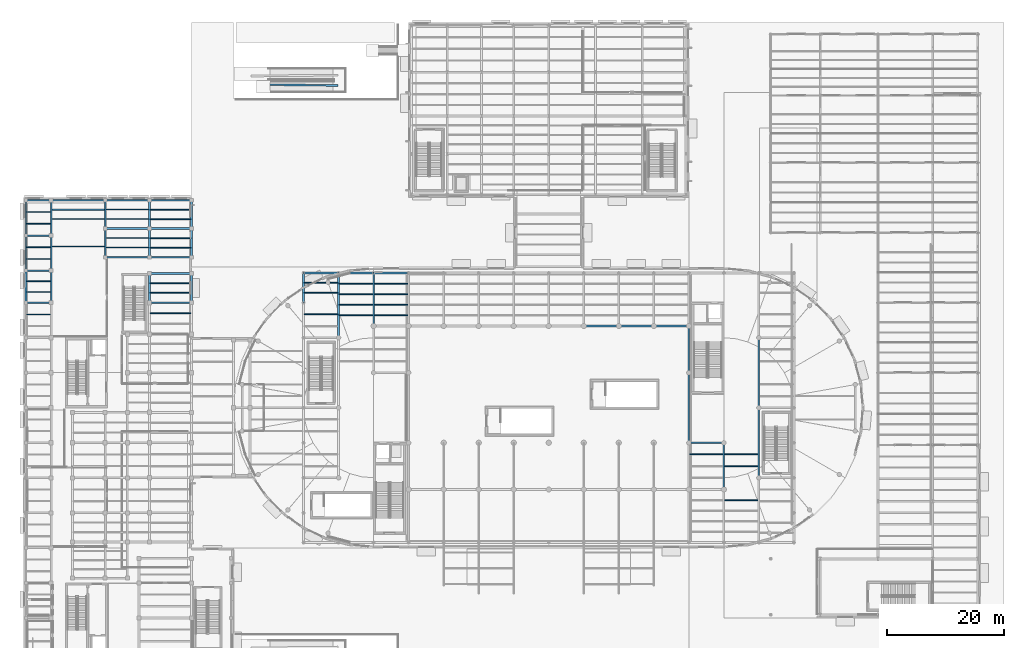
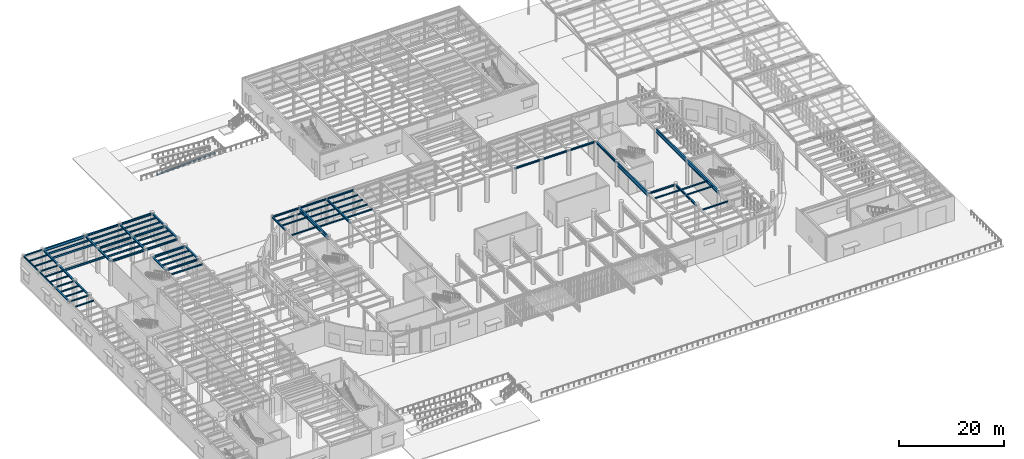
# One storey, part 30 of 118: 79 beams.
"""IFC4 building model written with IfcOpenShell, lengths in metres."""

from ifc_helpers import new_model, si_unit, direction, frame, origin, origin_2d, place, context, subcontext, project, spatial, hollow_rectangle, i_section, extrude, material, material_profile, profile_set, type_object, element, save


model = new_model("IFC4")

# Units and contexts
model_context = context("Model", 3, precision=1e-05, world=origin(), true_north=direction((0.0, 1.0)))
body_context = subcontext(model_context, "Body", "Model", "MODEL_VIEW")
ifc_project = project(units=[si_unit("LENGTHUNIT", "METRE"), si_unit("AREAUNIT", "SQUARE_METRE"), si_unit("VOLUMEUNIT", "CUBIC_METRE"), si_unit("PLANEANGLEUNIT", "RADIAN"), si_unit("MASSUNIT", "GRAM", prefix="KILO")], contexts=[model_context])

# Site, building, storey
site_placement = place(None, origin())
site = spatial("IfcSite", under=ifc_project, at=site_placement, CompositionType="ELEMENT")
building_placement = place(site_placement, origin())
building = spatial("IfcBuilding", under=site, at=building_placement, Name="Kolvaren Corner Interchange", CompositionType="ELEMENT")
storey_placement = place(building_placement, origin())
storey = spatial("IfcBuildingStorey", under=building, at=storey_placement, Name="L01", CompositionType="ELEMENT", Elevation=0.0)

# Beams
ifc_material_1 = material(Name="Steel S355", Category="steel")
ifc_material_profile_1 = material_profile(ifc_material_1, i_section(OverallWidth=0.260009765625, OverallDepth=0.25, WebThickness=0.007568359375, FlangeThickness=0.012451171875, FilletRadius=0.02392578125, at=origin_2d()), Name="HEA 260")
ifc_profile_set_1 = profile_set([ifc_material_profile_1], Name="Steel S355")
beam_type_1 = type_object("IfcBeamType", Name="BM-HEA260", PredefinedType="BEAM", material=ifc_profile_set_1)
for number, where, z_axis, x_axis, name in (
    (1, (0.449951171875, 66.0, 5.625), (1.0, 0.0, 0.0), (0.0, 1.0, 0.0), "Storey L01 Grid X Primary Girder 0402"),
    (2, (0.449951171875, 71.5, 5.625), (1.0, 0.0, 0.0), (0.0, 1.0, 0.0), "Storey L01 Grid X Primary Girder 0403"),
    (3, (0.449951171875, 77.5, 5.625), (1.0, 0.0, 0.0), (0.0, 1.0, 0.0), "Storey L01 Grid X Primary Girder 0407"),
    (4, (0.449951171875, 83.550048828125, 5.625), (1.0, 0.0, 0.0), (0.0, 1.0, 0.0), "Storey L01 Grid X Primary Girder 0411"),
):
    element("IfcBeam", number, at=place(storey_placement, frame(where, z_axis=z_axis, x_axis=x_axis)), inside=storey, type_object=beam_type_1, Name=name, PredefinedType="BEAM", context=body_context, shape_type="SweptSolid", body=[
        extrude(i_section(OverallWidth=0.260009765625, OverallDepth=0.25, WebThickness=0.007568359375, FlangeThickness=0.012451171875, FilletRadius=0.02392578125, at=origin_2d()), origin(), (0.0, 0.0, 1.0), 4.300048828125),
    ])
ifc_material_2 = material(Name="Steel S355", Category="steel")
ifc_material_profile_2 = material_profile(ifc_material_2, i_section(OverallWidth=0.300048828125, OverallDepth=0.2900390625, WebThickness=0.008544921875, FlangeThickness=0.013916015625, FilletRadius=0.027099609375, at=origin_2d()), Name="HEA 300")
ifc_profile_set_2 = profile_set([ifc_material_profile_2], Name="Steel S355")
beam_type_2 = type_object("IfcBeamType", Name="BM-HEA300", PredefinedType="BEAM", material=ifc_profile_set_2)
beam_1_placement = place(storey_placement, frame((41.31005859375, 103.360107421875, -1.820068359375), z_axis=(0.998156655255, -0.011913488908, 0.059509329962), x_axis=(0.011934640082, 0.999928779647, 0.0)))
element("IfcBeam", 5, at=beam_1_placement, inside=storey, type_object=beam_type_2, Name="West Cycle Hub Accessible Plinth Ramp Lower Sloped Spine Beam", PredefinedType="BEAM", context=body_context, shape_type="SweptSolid", body=[
    extrude(i_section(OverallWidth=0.300048828125, OverallDepth=0.2900390625, WebThickness=0.008544921875, FlangeThickness=0.013916015625, FilletRadius=0.027099609375, at=origin_2d()), origin(), (0.0, 0.0, 1.0), 12.60302734375),
])
ifc_material_3 = material(Name="Steel S355", Category="steel")
ifc_material_profile_3 = material_profile(ifc_material_3, i_section(OverallWidth=0.300048828125, OverallDepth=0.31005859375, WebThickness=0.009033203125, FlangeThickness=0.015380859375, FilletRadius=0.027099609375, at=origin_2d()), Name="HEA 320")
ifc_profile_set_3 = profile_set([ifc_material_profile_3], Name="Steel S355")
beam_type_3 = type_object("IfcBeamType", Name="BM-HEA320", PredefinedType="BEAM", material=ifc_profile_set_3)
for number, where, z_axis, x_axis, name in (
    (6, (21.60009765625, 66.0, 5.594970703125), (0.0, 1.0, 0.0), (-1.0, 0.0, 0.0), "Storey L01 Grid Y Primary Girder 0319"),
    (7, (28.800048828125, 66.0, 5.594970703125), (0.0, 1.0, 0.0), (-1.0, 0.0, 0.0), "Storey L01 Grid Y Primary Girder 0327"),
):
    element("IfcBeam", number, at=place(storey_placement, frame(where, z_axis=z_axis, x_axis=x_axis)), inside=storey, type_object=beam_type_3, Name=name, PredefinedType="BEAM", context=body_context, shape_type="SweptSolid", body=[
        extrude(i_section(OverallWidth=0.300048828125, OverallDepth=0.31005859375, WebThickness=0.009033203125, FlangeThickness=0.015380859375, FilletRadius=0.027099609375, at=origin_2d()), origin(), (0.0, 0.0, 1.0), 5.0),
    ])
beam_2_placement = place(storey_placement, frame((48.0, 66.0, 5.594970703125), z_axis=(0.0, 1.0, 0.0), x_axis=(-1.0, 0.0, 0.0)))
element("IfcBeam", 8, at=beam_2_placement, inside=storey, type_object=beam_type_3, Name="Storey L01 Grid Y Primary Girder 0340", PredefinedType="BEAM", context=body_context, shape_type="SweptSolid", body=[
    extrude(i_section(OverallWidth=0.300048828125, OverallDepth=0.31005859375, WebThickness=0.009033203125, FlangeThickness=0.015380859375, FilletRadius=0.027099609375, at=origin_2d()), origin(), (0.0, 0.0, 1.0), 5.10009765625),
])
for number, where, z_axis, x_axis, name in (
    (9, (0.449951171875, 66.0, 5.594970703125), (0.0, 1.0, 0.0), (-1.0, 0.0, 0.0), "Storey L01 Grid Y Primary Girder 0459"),
    (10, (4.75, 66.0, 5.594970703125), (0.0, 1.0, 0.0), (-1.0, 0.0, 0.0), "Storey L01 Grid Y Primary Girder 0473"),
):
    element("IfcBeam", number, at=place(storey_placement, frame(where, z_axis=z_axis, x_axis=x_axis)), inside=storey, type_object=beam_type_3, Name=name, PredefinedType="BEAM", context=body_context, shape_type="SweptSolid", body=[
        extrude(i_section(OverallWidth=0.300048828125, OverallDepth=0.31005859375, WebThickness=0.009033203125, FlangeThickness=0.015380859375, FilletRadius=0.027099609375, at=origin_2d()), origin(), (0.0, 0.0, 1.0), 5.5),
    ])
beam_3_placement = place(storey_placement, frame((14.0, 73.800048828125, 5.594970703125), z_axis=(0.0, 1.0, 0.0), x_axis=(-1.0, 0.0, 0.0)))
element("IfcBeam", 11, at=beam_3_placement, inside=storey, type_object=beam_type_3, Name="Storey L01 Grid Y Primary Girder 0476", PredefinedType="BEAM", context=body_context, shape_type="SweptSolid", body=[
    extrude(i_section(OverallWidth=0.300048828125, OverallDepth=0.31005859375, WebThickness=0.009033203125, FlangeThickness=0.015380859375, FilletRadius=0.027099609375, at=origin_2d()), origin(), (0.0, 0.0, 1.0), 4.89990234375),
])
beam_4_placement = place(storey_placement, frame((14.0, 78.699951171875, 5.594970703125), z_axis=(0.0, 1.0, 0.0), x_axis=(-1.0, 0.0, 0.0)))
element("IfcBeam", 12, at=beam_4_placement, inside=storey, type_object=beam_type_3, Name="Storey L01 Grid Y Primary Girder 0477", PredefinedType="BEAM", context=body_context, shape_type="SweptSolid", body=[
    extrude(i_section(OverallWidth=0.300048828125, OverallDepth=0.31005859375, WebThickness=0.009033203125, FlangeThickness=0.015380859375, FilletRadius=0.027099609375, at=origin_2d()), origin(), (0.0, 0.0, 1.0), 4.85009765625),
])
beam_5_placement = place(storey_placement, frame((21.60009765625, 73.800048828125, 5.594970703125), z_axis=(0.0, 1.0, 0.0), x_axis=(-1.0, 0.0, 0.0)))
element("IfcBeam", 13, at=beam_5_placement, inside=storey, type_object=beam_type_3, Name="Storey L01 Grid Y Primary Girder 0482", PredefinedType="BEAM", context=body_context, shape_type="SweptSolid", body=[
    extrude(i_section(OverallWidth=0.300048828125, OverallDepth=0.31005859375, WebThickness=0.009033203125, FlangeThickness=0.015380859375, FilletRadius=0.027099609375, at=origin_2d()), origin(), (0.0, 0.0, 1.0), 4.89990234375),
])
beam_6_placement = place(storey_placement, frame((21.60009765625, 78.699951171875, 5.594970703125), z_axis=(0.0, 1.0, 0.0), x_axis=(-1.0, 0.0, 0.0)))
element("IfcBeam", 14, at=beam_6_placement, inside=storey, type_object=beam_type_3, Name="Storey L01 Grid Y Primary Girder 0483", PredefinedType="BEAM", context=body_context, shape_type="SweptSolid", body=[
    extrude(i_section(OverallWidth=0.300048828125, OverallDepth=0.31005859375, WebThickness=0.009033203125, FlangeThickness=0.015380859375, FilletRadius=0.027099609375, at=origin_2d()), origin(), (0.0, 0.0, 1.0), 4.85009765625),
])
beam_7_placement = place(storey_placement, frame((28.800048828125, 73.800048828125, 5.594970703125), z_axis=(0.0, 1.0, 0.0), x_axis=(-1.0, 0.0, 0.0)))
element("IfcBeam", 15, at=beam_7_placement, inside=storey, type_object=beam_type_3, Name="Storey L01 Grid Y Primary Girder 0488", PredefinedType="BEAM", context=body_context, shape_type="SweptSolid", body=[
    extrude(i_section(OverallWidth=0.300048828125, OverallDepth=0.31005859375, WebThickness=0.009033203125, FlangeThickness=0.015380859375, FilletRadius=0.027099609375, at=origin_2d()), origin(), (0.0, 0.0, 1.0), 4.89990234375),
])
beam_8_placement = place(storey_placement, frame((28.800048828125, 78.699951171875, 5.594970703125), z_axis=(0.0, 1.0, 0.0), x_axis=(-1.0, 0.0, 0.0)))
element("IfcBeam", 16, at=beam_8_placement, inside=storey, type_object=beam_type_3, Name="Storey L01 Grid Y Primary Girder 0489", PredefinedType="BEAM", context=body_context, shape_type="SweptSolid", body=[
    extrude(i_section(OverallWidth=0.300048828125, OverallDepth=0.31005859375, WebThickness=0.009033203125, FlangeThickness=0.015380859375, FilletRadius=0.027099609375, at=origin_2d()), origin(), (0.0, 0.0, 1.0), 4.85009765625),
])
ifc_material_4 = material(Name="Steel S355", Category="steel")
ifc_material_profile_4 = material_profile(ifc_material_4, i_section(OverallWidth=0.300048828125, OverallDepth=0.35009765625, WebThickness=0.010009765625, FlangeThickness=0.017578125, FilletRadius=0.027099609375, at=origin_2d()), Name="HEA 360")
ifc_profile_set_4 = profile_set([ifc_material_profile_4], Name="Steel S355")
beam_type_4 = type_object("IfcBeamType", Name="BM-HEA360", PredefinedType="BEAM", material=ifc_profile_set_4)
for number, where, z_axis, x_axis, name in (
    (17, (114.0, 42.0, 5.574951171875), (1.0, 0.0, 0.0), (0.0, 1.0, 0.0), "Storey L01 Grid X Primary Girder 0253"),
    (18, (96.0, 62.0, 5.574951171875), (1.0, 0.0, 0.0), (0.0, 1.0, 0.0), "Storey L01 Grid X Primary Girder 0276"),
    (19, (102.0, 62.0, 5.574951171875), (1.0, 0.0, 0.0), (0.0, 1.0, 0.0), "Storey L01 Grid X Primary Girder 0277"),
    (20, (108.0, 62.0, 5.574951171875), (1.0, 0.0, 0.0), (0.0, 1.0, 0.0), "Storey L01 Grid X Primary Girder 0278"),
    (21, (48.0, 71.10009765625, 5.574951171875), (1.0, 0.0, 0.0), (0.0, 1.0, 0.0), "Storey L01 Grid X Primary Girder 0281"),
    (22, (54.0, 71.10009765625, 5.574951171875), (1.0, 0.0, 0.0), (0.0, 1.0, 0.0), "Storey L01 Grid X Primary Girder 0282"),
    (23, (60.0, 71.10009765625, 5.574951171875), (1.0, 0.0, 0.0), (0.0, 1.0, 0.0), "Storey L01 Grid X Primary Girder 0283"),
):
    element("IfcBeam", number, at=place(storey_placement, frame(where, z_axis=z_axis, x_axis=x_axis)), inside=storey, type_object=beam_type_4, Name=name, PredefinedType="BEAM", context=body_context, shape_type="SweptSolid", body=[
        extrude(i_section(OverallWidth=0.300048828125, OverallDepth=0.35009765625, WebThickness=0.010009765625, FlangeThickness=0.017578125, FilletRadius=0.027099609375, at=origin_2d()), origin(), (0.0, 0.0, 1.0), 6.0),
    ])
ifc_material_5 = material(Name="Steel S355", Category="steel")
ifc_material_profile_5 = material_profile(ifc_material_5, i_section(OverallWidth=0.300048828125, OverallDepth=0.389892578125, WebThickness=0.010986328125, FlangeThickness=0.01904296875, FilletRadius=0.027099609375, at=origin_2d()), Name="HEA 400")
ifc_profile_set_5 = profile_set([ifc_material_profile_5], Name="Steel S355")
beam_type_5 = type_object("IfcBeamType", Name="BM-HEA400", PredefinedType="BEAM", material=ifc_profile_set_5)
beam_9_placement = place(storey_placement, frame((4.75, 71.5, 5.554931640625), z_axis=(0.0, 1.0, 0.0), x_axis=(-1.0, 0.0, 0.0)))
element("IfcBeam", 24, at=beam_9_placement, inside=storey, type_object=beam_type_5, Name="Storey L01 Grid Y Primary Girder 0474", PredefinedType="BEAM", context=body_context, shape_type="SweptSolid", body=[
    extrude(i_section(OverallWidth=0.300048828125, OverallDepth=0.389892578125, WebThickness=0.010986328125, FlangeThickness=0.01904296875, FilletRadius=0.027099609375, at=origin_2d()), origin(), (0.0, 0.0, 1.0), 6.0),
])
beam_10_placement = place(storey_placement, frame((4.75, 77.5, 5.554931640625), z_axis=(0.0, 1.0, 0.0), x_axis=(-1.0, 0.0, 0.0)))
element("IfcBeam", 25, at=beam_10_placement, inside=storey, type_object=beam_type_5, Name="Storey L01 Grid Y Primary Girder 0475", PredefinedType="BEAM", context=body_context, shape_type="SweptSolid", body=[
    extrude(i_section(OverallWidth=0.300048828125, OverallDepth=0.389892578125, WebThickness=0.010986328125, FlangeThickness=0.01904296875, FilletRadius=0.027099609375, at=origin_2d()), origin(), (0.0, 0.0, 1.0), 6.050048828125),
])
ifc_material_6 = material(Name="Steel S355", Category="steel")
ifc_material_profile_6 = material_profile(ifc_material_6, i_section(OverallWidth=0.300048828125, OverallDepth=0.43994140625, WebThickness=0.011474609375, FlangeThickness=0.02099609375, FilletRadius=0.027099609375, at=origin_2d()), Name="HEA 450")
ifc_profile_set_6 = profile_set([ifc_material_profile_6], Name="Steel S355")
beam_type_6 = type_object("IfcBeamType", Name="BM-HEA450", PredefinedType="BEAM", material=ifc_profile_set_6)
for number, where, z_axis, x_axis, name in (
    (26, (21.60009765625, 66.0, 5.530029296875), (1.0, 0.0, 0.0), (0.0, 1.0, 0.0), "Storey L01 Grid X Primary Girder 0279"),
    (27, (21.60009765625, 71.0, 5.530029296875), (1.0, 0.0, 0.0), (0.0, 1.0, 0.0), "Storey L01 Grid X Primary Girder 0280"),
):
    element("IfcBeam", number, at=place(storey_placement, frame(where, z_axis=z_axis, x_axis=x_axis)), inside=storey, type_object=beam_type_6, Name=name, PredefinedType="BEAM", context=body_context, shape_type="SweptSolid", body=[
        extrude(i_section(OverallWidth=0.300048828125, OverallDepth=0.43994140625, WebThickness=0.011474609375, FlangeThickness=0.02099609375, FilletRadius=0.027099609375, at=origin_2d()), origin(), (0.0, 0.0, 1.0), 7.199951171875),
    ])
beam_11_placement = place(storey_placement, frame((14.0, 73.800048828125, 5.530029296875), z_axis=(1.0, 0.0, 0.0), x_axis=(0.0, 1.0, 0.0)))
element("IfcBeam", 28, at=beam_11_placement, inside=storey, type_object=beam_type_6, Name="Storey L01 Grid X Primary Girder 0404", PredefinedType="BEAM", context=body_context, shape_type="SweptSolid", body=[
    extrude(i_section(OverallWidth=0.300048828125, OverallDepth=0.43994140625, WebThickness=0.011474609375, FlangeThickness=0.02099609375, FilletRadius=0.027099609375, at=origin_2d()), origin(), (0.0, 0.0, 1.0), 7.60009765625),
])
beam_12_placement = place(storey_placement, frame((21.60009765625, 73.800048828125, 5.530029296875), z_axis=(1.0, 0.0, 0.0), x_axis=(0.0, 1.0, 0.0)))
element("IfcBeam", 29, at=beam_12_placement, inside=storey, type_object=beam_type_6, Name="Storey L01 Grid X Primary Girder 0405", PredefinedType="BEAM", context=body_context, shape_type="SweptSolid", body=[
    extrude(i_section(OverallWidth=0.300048828125, OverallDepth=0.43994140625, WebThickness=0.011474609375, FlangeThickness=0.02099609375, FilletRadius=0.027099609375, at=origin_2d()), origin(), (0.0, 0.0, 1.0), 7.199951171875),
])
beam_13_placement = place(storey_placement, frame((14.0, 78.699951171875, 5.530029296875), z_axis=(1.0, 0.0, 0.0), x_axis=(0.0, 1.0, 0.0)))
element("IfcBeam", 30, at=beam_13_placement, inside=storey, type_object=beam_type_6, Name="Storey L01 Grid X Primary Girder 0408", PredefinedType="BEAM", context=body_context, shape_type="SweptSolid", body=[
    extrude(i_section(OverallWidth=0.300048828125, OverallDepth=0.43994140625, WebThickness=0.011474609375, FlangeThickness=0.02099609375, FilletRadius=0.027099609375, at=origin_2d()), origin(), (0.0, 0.0, 1.0), 7.60009765625),
])
beam_14_placement = place(storey_placement, frame((21.60009765625, 78.699951171875, 5.530029296875), z_axis=(1.0, 0.0, 0.0), x_axis=(0.0, 1.0, 0.0)))
element("IfcBeam", 31, at=beam_14_placement, inside=storey, type_object=beam_type_6, Name="Storey L01 Grid X Primary Girder 0409", PredefinedType="BEAM", context=body_context, shape_type="SweptSolid", body=[
    extrude(i_section(OverallWidth=0.300048828125, OverallDepth=0.43994140625, WebThickness=0.011474609375, FlangeThickness=0.02099609375, FilletRadius=0.027099609375, at=origin_2d()), origin(), (0.0, 0.0, 1.0), 7.199951171875),
])
beam_15_placement = place(storey_placement, frame((14.0, 83.550048828125, 5.530029296875), z_axis=(1.0, 0.0, 0.0), x_axis=(0.0, 1.0, 0.0)))
element("IfcBeam", 32, at=beam_15_placement, inside=storey, type_object=beam_type_6, Name="Storey L01 Grid X Primary Girder 0413", PredefinedType="BEAM", context=body_context, shape_type="SweptSolid", body=[
    extrude(i_section(OverallWidth=0.300048828125, OverallDepth=0.43994140625, WebThickness=0.011474609375, FlangeThickness=0.02099609375, FilletRadius=0.027099609375, at=origin_2d()), origin(), (0.0, 0.0, 1.0), 7.60009765625),
])
beam_16_placement = place(storey_placement, frame((21.60009765625, 83.550048828125, 5.530029296875), z_axis=(1.0, 0.0, 0.0), x_axis=(0.0, 1.0, 0.0)))
element("IfcBeam", 33, at=beam_16_placement, inside=storey, type_object=beam_type_6, Name="Storey L01 Grid X Primary Girder 0414", PredefinedType="BEAM", context=body_context, shape_type="SweptSolid", body=[
    extrude(i_section(OverallWidth=0.300048828125, OverallDepth=0.43994140625, WebThickness=0.011474609375, FlangeThickness=0.02099609375, FilletRadius=0.027099609375, at=origin_2d()), origin(), (0.0, 0.0, 1.0), 7.199951171875),
])
ifc_material_7 = material(Name="Steel S355", Category="steel")
ifc_material_profile_7 = material_profile(ifc_material_7, i_section(OverallWidth=0.300048828125, OverallDepth=0.489990234375, WebThickness=0.011962890625, FlangeThickness=0.02294921875, FilletRadius=0.027099609375, at=origin_2d()), Name="HEA 500")
ifc_profile_set_7 = profile_set([ifc_material_profile_7], Name="Steel S355")
beam_type_7 = type_object("IfcBeamType", Name="BM-HEA500", PredefinedType="BEAM", material=ifc_profile_set_7)
beam_17_placement = place(storey_placement, frame((60.0, 62.0, 5.5048828125), z_axis=(0.0, 1.0, 0.0), x_axis=(-1.0, 0.0, 0.0)))
element("IfcBeam", 34, at=beam_17_placement, inside=storey, type_object=beam_type_7, Name="Storey L01 Grid Y Primary Girder 0345", PredefinedType="BEAM", context=body_context, shape_type="SweptSolid", body=[
    extrude(i_section(OverallWidth=0.300048828125, OverallDepth=0.489990234375, WebThickness=0.011962890625, FlangeThickness=0.02294921875, FilletRadius=0.027099609375, at=origin_2d()), origin(), (0.0, 0.0, 1.0), 9.10009765625),
])
for number, where, z_axis, x_axis, name in (
    (35, (114.0, 54.0, 5.5048828125), (0.0, 1.0, 0.0), (-1.0, 0.0, 0.0), "Storey L01 Grid Y Primary Girder 0361"),
    (36, (120.0, 34.0, 5.5048828125), (0.0, 1.0, 0.0), (-1.0, 0.0, 0.0), "Storey L01 Grid Y Primary Girder 0364"),
):
    element("IfcBeam", number, at=place(storey_placement, frame(where, z_axis=z_axis, x_axis=x_axis)), inside=storey, type_object=beam_type_7, Name=name, PredefinedType="BEAM", context=body_context, shape_type="SweptSolid", body=[
        extrude(i_section(OverallWidth=0.300048828125, OverallDepth=0.489990234375, WebThickness=0.011962890625, FlangeThickness=0.02294921875, FilletRadius=0.027099609375, at=origin_2d()), origin(), (0.0, 0.0, 1.0), 8.0),
    ])
ifc_material_8 = material(Name="Steel S355", Category="steel")
ifc_material_profile_8 = material_profile(ifc_material_8, i_section(OverallWidth=0.300048828125, OverallDepth=0.639892578125, WebThickness=0.013427734375, FlangeThickness=0.02587890625, FilletRadius=0.027099609375, at=origin_2d()), Name="HEA 650")
ifc_profile_set_8 = profile_set([ifc_material_profile_8], Name="Steel S355")
beam_type_8 = type_object("IfcBeamType", Name="BM-HEA650", PredefinedType="BEAM", material=ifc_profile_set_8)
beam_18_placement = place(storey_placement, frame((4.75, 83.550048828125, 5.429931640625), z_axis=(1.0, 0.0, 0.0), x_axis=(0.0, 1.0, 0.0)))
element("IfcBeam", 37, at=beam_18_placement, inside=storey, type_object=beam_type_8, Name="Storey L01 Grid X Primary Girder 0412", PredefinedType="BEAM", context=body_context, shape_type="SweptSolid", body=[
    extrude(i_section(OverallWidth=0.300048828125, OverallDepth=0.639892578125, WebThickness=0.013427734375, FlangeThickness=0.02587890625, FilletRadius=0.027099609375, at=origin_2d()), origin(), (0.0, 0.0, 1.0), 9.25),
])
ifc_material_9 = material(Name="Steel S355", Category="steel")
ifc_material_profile_9 = material_profile(ifc_material_9, i_section(OverallWidth=0.300048828125, OverallDepth=0.89990234375, WebThickness=0.0185546875, FlangeThickness=0.034912109375, FilletRadius=0.030029296875, at=origin_2d()), Name="HEB 900")
ifc_profile_set_9 = profile_set([ifc_material_profile_9], Name="Steel S355")
beam_type_9 = type_object("IfcBeamType", Name="BM-HEB900", PredefinedType="BEAM", material=ifc_profile_set_9)
beam_19_placement = place(storey_placement, frame((54.0, 60.0, 5.300048828125), z_axis=(0.0, 1.0, 0.0), x_axis=(-1.0, 0.0, 0.0)))
element("IfcBeam", 38, at=beam_19_placement, inside=storey, type_object=beam_type_9, Name="Storey L01 Grid Y Primary Girder 0343", PredefinedType="BEAM", context=body_context, shape_type="SweptSolid", body=[
    extrude(i_section(OverallWidth=0.300048828125, OverallDepth=0.89990234375, WebThickness=0.0185546875, FlangeThickness=0.034912109375, FilletRadius=0.030029296875, at=origin_2d()), origin(), (0.0, 0.0, 1.0), 11.10009765625),
])
for number, where, z_axis, x_axis, name in (
    (39, (114.0, 42.0, 5.300048828125), (0.0, 1.0, 0.0), (-1.0, 0.0, 0.0), "Storey L01 Grid Y Primary Girder 0360"),
    (40, (126.0, 36.0, 5.300048828125), (0.0, 1.0, 0.0), (-1.0, 0.0, 0.0), "Storey L01 Grid Y Primary Girder 0366"),
    (41, (126.0, 48.0, 5.300048828125), (0.0, 1.0, 0.0), (-1.0, 0.0, 0.0), "Storey L01 Grid Y Primary Girder 0367"),
):
    element("IfcBeam", number, at=place(storey_placement, frame(where, z_axis=z_axis, x_axis=x_axis)), inside=storey, type_object=beam_type_9, Name=name, PredefinedType="BEAM", context=body_context, shape_type="SweptSolid", body=[
        extrude(i_section(OverallWidth=0.300048828125, OverallDepth=0.89990234375, WebThickness=0.0185546875, FlangeThickness=0.034912109375, FilletRadius=0.030029296875, at=origin_2d()), origin(), (0.0, 0.0, 1.0), 12.0),
    ])
ifc_material_10 = material(Name="Steel S355", Category="steel")
ifc_material_profile_10 = material_profile(ifc_material_10, i_section(OverallWidth=0.1201171875, OverallDepth=0.239990234375, WebThickness=0.006103515625, FlangeThickness=0.009765625, FilletRadius=0.014892578125, at=origin_2d()), Name="IPE 240")
ifc_profile_set_10 = profile_set([ifc_material_profile_10], Name="Steel S355")
beam_type_10 = type_object("IfcBeamType", Name="JS-IPE240", PredefinedType="JOIST", material=ifc_profile_set_10)
beam_20_placement = place(storey_placement, frame((0.550048828125, 64.0, 5.6298828125), z_axis=(1.0, 0.0, 0.0), x_axis=(0.0, 1.0, 0.0)))
element("IfcBeam", 42, at=beam_20_placement, inside=storey, type_object=beam_type_10, Name="Storey L01 Composite Floor Joist 0409", PredefinedType="JOIST", context=body_context, shape_type="SweptSolid", body=[
    extrude(i_section(OverallWidth=0.1201171875, OverallDepth=0.239990234375, WebThickness=0.006103515625, FlangeThickness=0.009765625, FilletRadius=0.014892578125, at=origin_2d()), origin(), (0.0, 0.0, 1.0), 4.050048828125),
])
for number, where, z_axis, x_axis, name in (
    (43, (0.60009765625, 67.833251953125, 5.6298828125), (1.0, 0.0, 0.0), (0.0, 1.0, 0.0), "Storey L01 Composite Floor Joist 0410"),
    (44, (0.60009765625, 69.666748046875, 5.6298828125), (1.0, 0.0, 0.0), (0.0, 1.0, 0.0), "Storey L01 Composite Floor Joist 0411"),
):
    element("IfcBeam", number, at=place(storey_placement, frame(where, z_axis=z_axis, x_axis=x_axis)), inside=storey, type_object=beam_type_10, Name=name, PredefinedType="JOIST", context=body_context, shape_type="SweptSolid", body=[
        extrude(i_section(OverallWidth=0.1201171875, OverallDepth=0.239990234375, WebThickness=0.006103515625, FlangeThickness=0.009765625, FilletRadius=0.014892578125, at=origin_2d()), origin(), (0.0, 0.0, 1.0), 4.0),
    ])
for number, where, z_axis, x_axis, name in (
    (45, (0.550048828125, 73.5, 5.6298828125), (1.0, 0.0, 0.0), (0.0, 1.0, 0.0), "Storey L01 Composite Floor Joist 0412"),
    (46, (0.550048828125, 75.5, 5.6298828125), (1.0, 0.0, 0.0), (0.0, 1.0, 0.0), "Storey L01 Composite Floor Joist 0413"),
    (47, (0.550048828125, 79.5166015625, 5.6298828125), (1.0, 0.0, 0.0), (0.0, 1.0, 0.0), "Storey L01 Composite Floor Joist 0414"),
    (48, (0.550048828125, 81.533203125, 5.6298828125), (1.0, 0.0, 0.0), (0.0, 1.0, 0.0), "Storey L01 Composite Floor Joist 0415"),
):
    element("IfcBeam", number, at=place(storey_placement, frame(where, z_axis=z_axis, x_axis=x_axis)), inside=storey, type_object=beam_type_10, Name=name, PredefinedType="JOIST", context=body_context, shape_type="SweptSolid", body=[
        extrude(i_section(OverallWidth=0.1201171875, OverallDepth=0.239990234375, WebThickness=0.006103515625, FlangeThickness=0.009765625, FilletRadius=0.014892578125, at=origin_2d()), origin(), (0.0, 0.0, 1.0), 4.050048828125),
    ])
ifc_material_11 = material(Name="Steel S355", Category="steel")
ifc_material_profile_11 = material_profile(ifc_material_11, i_section(OverallWidth=0.159912109375, OverallDepth=0.330078125, WebThickness=0.007568359375, FlangeThickness=0.011474609375, FilletRadius=0.01806640625, at=origin_2d()), Name="IPE 330")
ifc_profile_set_11 = profile_set([ifc_material_profile_11], Name="Steel S355")
beam_type_11 = type_object("IfcBeamType", Name="JS-IPE330", PredefinedType="JOIST", material=ifc_profile_set_11)
for number, where, z_axis, x_axis, name in (
    (49, (48.14990234375, 64.0, 5.5849609375), (1.0, 0.0, 0.0), (0.0, 1.0, 0.0), "Storey L01 Composite Floor Joist 0313"),
    (50, (48.14990234375, 67.699951171875, 5.5849609375), (1.0, 0.0, 0.0), (0.0, 1.0, 0.0), "Storey L01 Composite Floor Joist 0314"),
    (51, (48.14990234375, 69.39990234375, 5.5849609375), (1.0, 0.0, 0.0), (0.0, 1.0, 0.0), "Storey L01 Composite Floor Joist 0315"),
    (52, (54.14990234375, 63.820068359375, 5.5849609375), (1.0, 0.0, 0.0), (0.0, 1.0, 0.0), "Storey L01 Composite Floor Joist 0318"),
    (53, (54.14990234375, 65.639892578125, 5.5849609375), (1.0, 0.0, 0.0), (0.0, 1.0, 0.0), "Storey L01 Composite Floor Joist 0319"),
    (54, (54.14990234375, 67.4599609375, 5.5849609375), (1.0, 0.0, 0.0), (0.0, 1.0, 0.0), "Storey L01 Composite Floor Joist 0320"),
    (55, (54.14990234375, 69.280029296875, 5.5849609375), (1.0, 0.0, 0.0), (0.0, 1.0, 0.0), "Storey L01 Composite Floor Joist 0321"),
    (56, (60.14990234375, 63.820068359375, 5.5849609375), (1.0, 0.0, 0.0), (0.0, 1.0, 0.0), "Storey L01 Composite Floor Joist 0325"),
    (57, (60.14990234375, 65.639892578125, 5.5849609375), (1.0, 0.0, 0.0), (0.0, 1.0, 0.0), "Storey L01 Composite Floor Joist 0326"),
    (58, (60.14990234375, 67.4599609375, 5.5849609375), (1.0, 0.0, 0.0), (0.0, 1.0, 0.0), "Storey L01 Composite Floor Joist 0327"),
    (59, (60.14990234375, 69.280029296875, 5.5849609375), (1.0, 0.0, 0.0), (0.0, 1.0, 0.0), "Storey L01 Composite Floor Joist 0328"),
    (60, (114.14990234375, 40.0, 5.5849609375), (1.0, 0.0, 0.0), (0.0, 1.0, 0.0), "Storey L01 Composite Floor Joist 0367"),
    (61, (120.14990234375, 32.179931640625, 5.5849609375), (1.0, 0.0, 0.0), (0.0, 1.0, 0.0), "Storey L01 Composite Floor Joist 0371"),
    (62, (120.14990234375, 38.0, 5.5849609375), (1.0, 0.0, 0.0), (0.0, 1.0, 0.0), "Storey L01 Composite Floor Joist 0372"),
    (63, (120.14990234375, 40.0, 5.5849609375), (1.0, 0.0, 0.0), (0.0, 1.0, 0.0), "Storey L01 Composite Floor Joist 0373"),
):
    element("IfcBeam", number, at=place(storey_placement, frame(where, z_axis=z_axis, x_axis=x_axis)), inside=storey, type_object=beam_type_11, Name=name, PredefinedType="JOIST", context=body_context, shape_type="SweptSolid", body=[
        extrude(i_section(OverallWidth=0.159912109375, OverallDepth=0.330078125, WebThickness=0.007568359375, FlangeThickness=0.011474609375, FilletRadius=0.01806640625, at=origin_2d()), origin(), (0.0, 0.0, 1.0), 5.7001953125),
    ])
ifc_material_12 = material(Name="Steel S355", Category="steel")
ifc_material_profile_12 = material_profile(ifc_material_12, i_section(OverallWidth=0.169921875, OverallDepth=0.360107421875, WebThickness=0.008056640625, FlangeThickness=0.0126953125, FilletRadius=0.01806640625, at=origin_2d()), Name="IPE 360")
ifc_profile_set_12 = profile_set([ifc_material_profile_12], Name="Steel S355")
beam_type_12 = type_object("IfcBeamType", Name="JS-IPE360", PredefinedType="JOIST", material=ifc_profile_set_12)
for number, where, z_axis, x_axis, name in (
    (64, (21.75, 64.199951171875, 5.570068359375), (1.0, 0.0, 0.0), (0.0, 1.0, 0.0), "Storey L01 Composite Floor Joist 0289"),
    (65, (21.75, 67.666748046875, 5.570068359375), (1.0, 0.0, 0.0), (0.0, 1.0, 0.0), "Storey L01 Composite Floor Joist 0290"),
    (66, (21.75, 69.333251953125, 5.570068359375), (1.0, 0.0, 0.0), (0.0, 1.0, 0.0), "Storey L01 Composite Floor Joist 0291"),
    (67, (21.75, 75.433349609375, 5.570068359375), (1.0, 0.0, 0.0), (0.0, 1.0, 0.0), "Storey L01 Composite Floor Joist 0431"),
    (68, (21.75, 77.066650390625, 5.570068359375), (1.0, 0.0, 0.0), (0.0, 1.0, 0.0), "Storey L01 Composite Floor Joist 0432"),
    (69, (21.75, 80.316650390625, 5.570068359375), (1.0, 0.0, 0.0), (0.0, 1.0, 0.0), "Storey L01 Composite Floor Joist 0433"),
    (70, (21.75, 81.933349609375, 5.570068359375), (1.0, 0.0, 0.0), (0.0, 1.0, 0.0), "Storey L01 Composite Floor Joist 0434"),
):
    element("IfcBeam", number, at=place(storey_placement, frame(where, z_axis=z_axis, x_axis=x_axis)), inside=storey, type_object=beam_type_12, Name=name, PredefinedType="JOIST", context=body_context, shape_type="SweptSolid", body=[
        extrude(i_section(OverallWidth=0.169921875, OverallDepth=0.360107421875, WebThickness=0.008056640625, FlangeThickness=0.0126953125, FilletRadius=0.01806640625, at=origin_2d()), origin(), (0.0, 0.0, 1.0), 6.89990234375),
    ])
ifc_material_13 = material(Name="Steel S355", Category="steel")
ifc_material_profile_13 = material_profile(ifc_material_13, i_section(OverallWidth=0.179931640625, OverallDepth=0.39990234375, WebThickness=0.008544921875, FlangeThickness=0.013427734375, FilletRadius=0.02099609375, at=origin_2d()), Name="IPE 400")
ifc_profile_set_13 = profile_set([ifc_material_profile_13], Name="Steel S355")
beam_type_13 = type_object("IfcBeamType", Name="JS-IPE400", PredefinedType="JOIST", material=ifc_profile_set_13)
for number, where, z_axis, x_axis, name in (
    (71, (14.14990234375, 75.433349609375, 5.550048828125), (1.0, 0.0, 0.0), (0.0, 1.0, 0.0), "Storey L01 Composite Floor Joist 0419"),
    (72, (14.14990234375, 77.066650390625, 5.550048828125), (1.0, 0.0, 0.0), (0.0, 1.0, 0.0), "Storey L01 Composite Floor Joist 0420"),
    (73, (14.14990234375, 80.316650390625, 5.550048828125), (1.0, 0.0, 0.0), (0.0, 1.0, 0.0), "Storey L01 Composite Floor Joist 0421"),
    (74, (14.14990234375, 81.933349609375, 5.550048828125), (1.0, 0.0, 0.0), (0.0, 1.0, 0.0), "Storey L01 Composite Floor Joist 0422"),
):
    element("IfcBeam", number, at=place(storey_placement, frame(where, z_axis=z_axis, x_axis=x_axis)), inside=storey, type_object=beam_type_13, Name=name, PredefinedType="JOIST", context=body_context, shape_type="SweptSolid", body=[
        extrude(i_section(OverallWidth=0.179931640625, OverallDepth=0.39990234375, WebThickness=0.008544921875, FlangeThickness=0.013427734375, FilletRadius=0.02099609375, at=origin_2d()), origin(), (0.0, 0.0, 1.0), 7.300048828125),
    ])
ifc_material_14 = material(Name="Steel S355", Category="steel")
ifc_material_profile_14 = material_profile(ifc_material_14, i_section(OverallWidth=0.18994140625, OverallDepth=0.449951171875, WebThickness=0.009521484375, FlangeThickness=0.0146484375, FilletRadius=0.02099609375, at=origin_2d()), Name="IPE 450")
ifc_profile_set_14 = profile_set([ifc_material_profile_14], Name="Steel S355")
beam_type_14 = type_object("IfcBeamType", Name="JS-IPE450", PredefinedType="JOIST", material=ifc_profile_set_14)
for number, where, z_axis, x_axis, name in (
    (75, (4.89990234375, 75.64990234375, 5.52490234375), (1.0, 0.0, 0.0), (0.0, 1.0, 0.0), "Storey L01 Composite Floor Joist 0416"),
    (76, (4.89990234375, 80.316650390625, 5.52490234375), (1.0, 0.0, 0.0), (0.0, 1.0, 0.0), "Storey L01 Composite Floor Joist 0417"),
    (77, (4.89990234375, 81.933349609375, 5.52490234375), (1.0, 0.0, 0.0), (0.0, 1.0, 0.0), "Storey L01 Composite Floor Joist 0418"),
):
    element("IfcBeam", number, at=place(storey_placement, frame(where, z_axis=z_axis, x_axis=x_axis)), inside=storey, type_object=beam_type_14, Name=name, PredefinedType="JOIST", context=body_context, shape_type="SweptSolid", body=[
        extrude(i_section(OverallWidth=0.18994140625, OverallDepth=0.449951171875, WebThickness=0.009521484375, FlangeThickness=0.0146484375, FilletRadius=0.02099609375, at=origin_2d()), origin(), (0.0, 0.0, 1.0), 8.9501953125),
    ])
ifc_material_15 = material(Name="Steel S355", Category="steel")
ifc_material_profile_15 = material_profile(ifc_material_15, hollow_rectangle(XDim=0.199951171875, YDim=0.35009765625, WallThickness=0.012451171875, InnerFilletRadius=0.012451171875, OuterFilletRadius=0.02490234375, at=origin_2d()), Name="RHS 350x200x12.5")
ifc_profile_set_15 = profile_set([ifc_material_profile_15], Name="Steel S355")
beam_type_15 = type_object("IfcBeamType", Name="SP-RHS350", PredefinedType="SPANDREL", material=ifc_profile_set_15)
beam_21_placement = place(storey_placement, frame((0.449951171875, 71.5, 5.574951171875), z_axis=(0.0, 1.0, 0.0), x_axis=(-1.0, 0.0, 0.0)))
element("IfcBeam", 78, at=beam_21_placement, inside=storey, type_object=beam_type_15, Name="Storey L01 Grid Y Primary Girder 0460", PredefinedType="SPANDREL", context=body_context, shape_type="SweptSolid", body=[
    extrude(hollow_rectangle(XDim=0.199951171875, YDim=0.35009765625, WallThickness=0.012451171875, InnerFilletRadius=0.012451171875, OuterFilletRadius=0.02490234375, at=origin_2d()), origin(), (0.0, 0.0, 1.0), 6.0),
])
beam_22_placement = place(storey_placement, frame((0.449951171875, 77.5, 5.574951171875), z_axis=(0.0, 1.0, 0.0), x_axis=(-1.0, 0.0, 0.0)))
element("IfcBeam", 79, at=beam_22_placement, inside=storey, type_object=beam_type_15, Name="Storey L01 Grid Y Primary Girder 0461", PredefinedType="SPANDREL", context=body_context, shape_type="SweptSolid", body=[
    extrude(hollow_rectangle(XDim=0.199951171875, YDim=0.35009765625, WallThickness=0.012451171875, InnerFilletRadius=0.012451171875, OuterFilletRadius=0.02490234375, at=origin_2d()), origin(), (0.0, 0.0, 1.0), 6.050048828125),
])

save(model, "model.ifc")
